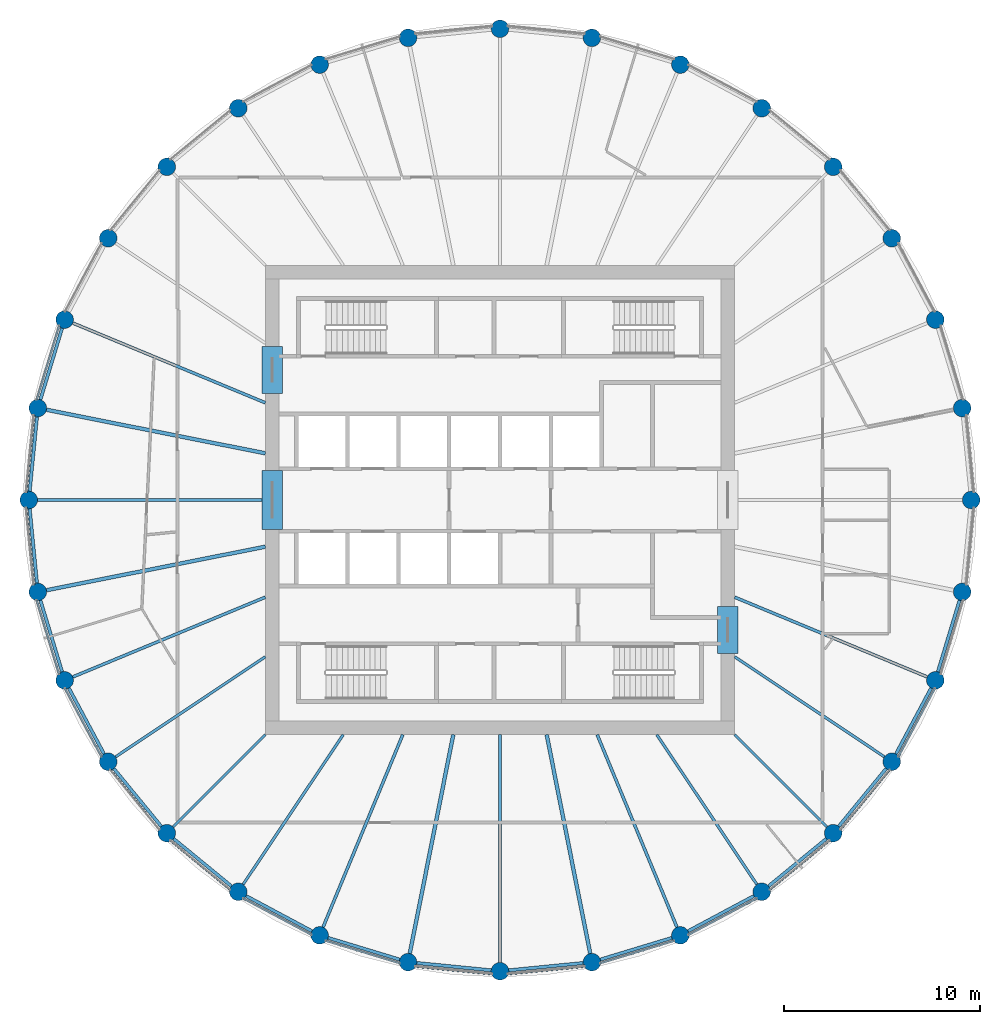
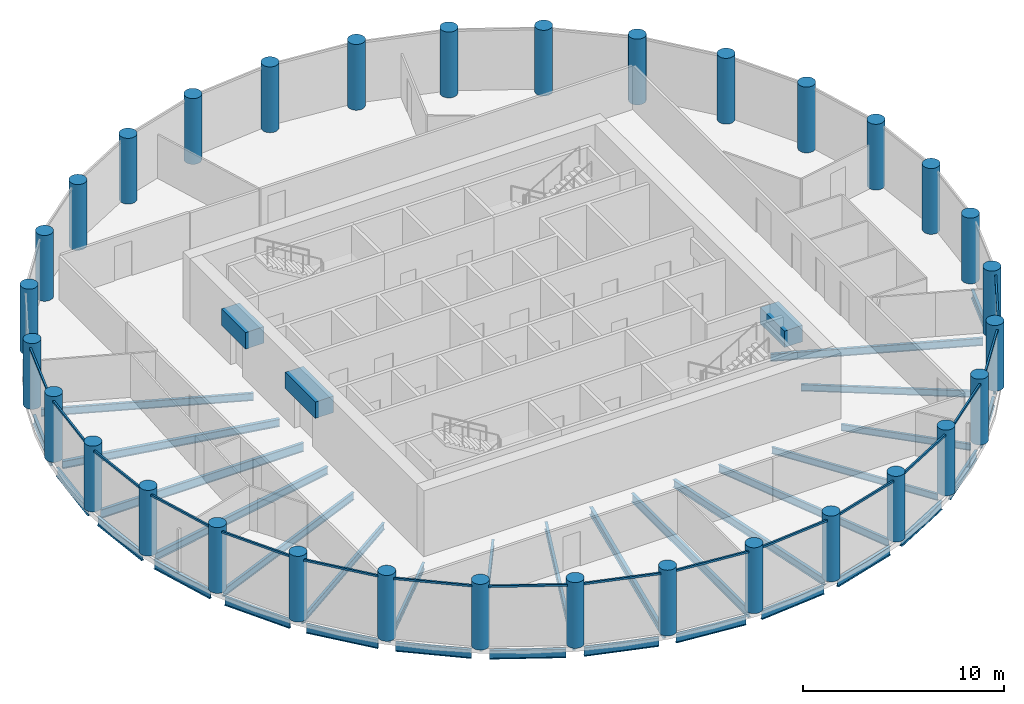
# One storey, part 1 of 7: 37 beams, 32 columns, 16 members, 16 elements without a shape of their own.
"""IFC4 building model written with IfcOpenShell, lengths in metres."""

from ifc_helpers import new_model, si_unit, direction, frame, origin, origin_2d, place, context, subcontext, project, spatial, rectangle, circle, i_section, extrude, material, material_profile, profile_set, type_object, element, aggregate, save


model = new_model("IFC4")

# Units and contexts
model_context = context("Model", 3, precision=1e-05, world=origin(), true_north=direction((0.0, 1.0)))
body_context = subcontext(model_context, "Body", "Model", "MODEL_VIEW")
ifc_project = project(units=[si_unit("LENGTHUNIT", "METRE"), si_unit("AREAUNIT", "SQUARE_METRE"), si_unit("VOLUMEUNIT", "CUBIC_METRE"), si_unit("PLANEANGLEUNIT", "RADIAN"), si_unit("MASSUNIT", "GRAM", prefix="KILO")], contexts=[model_context])

# Site, building, storey
site_placement = place(None, origin())
site = spatial("IfcSite", under=ifc_project, at=site_placement, CompositionType="ELEMENT")
building_placement = place(site_placement, origin())
building = spatial("IfcBuilding", under=site, at=building_placement, Name="Corvane Civic Tower", CompositionType="ELEMENT")
storey_placement = place(building_placement, frame((0.0, 0.0, 315.0)))
storey = spatial("IfcBuildingStorey", under=building, at=storey_placement, Name="L75", CompositionType="ELEMENT", Elevation=315.0)

# Columns
ifc_material_1 = material(Name="Concrete C60/75", Category="concrete")
ifc_material_profile_1 = material_profile(ifc_material_1, circle(Radius=0.449951171875, at=origin_2d()), Name="COLUMN 900")
ifc_profile_set_1 = profile_set([ifc_material_profile_1], Name="Concrete C60/75")
column_type = type_object("IfcColumnType", Name="RC COLUMN COLUMN 900", PredefinedType="COLUMN", material=ifc_profile_set_1)
for number, where, z_axis, x_axis, name in (
    (1, (0.0, 24.10009765625, 0.0), (0.0, 0.0, 1.0), (1.0, 0.0, 0.0), "COL-L75-E01"),
    (2, (4.70166015625, 23.636962890625, 0.0), (0.0, 0.0, 1.0), (1.0, 0.0, 0.0), "COL-L75-E02"),
    (3, (9.22265625, 22.265380859375, 0.0), (0.0, 0.0, 1.0), (1.0, 0.0, 0.0), "COL-L75-E03"),
    (4, (13.38916015625, 20.038330078125, 0.0), (0.0, 0.0, 1.0), (1.0, 0.0, 0.0), "COL-L75-E04"),
    (5, (17.041259765625, 17.041259765625, 0.0), (0.0, 0.0, 1.0), (1.0, 0.0, 0.0), "COL-L75-E05"),
    (6, (20.038330078125, 13.38916015625, 0.0), (0.0, 0.0, 1.0), (1.0, 0.0, 0.0), "COL-L75-E06"),
    (7, (22.265380859375, 9.22265625, 0.0), (0.0, 0.0, 1.0), (1.0, 0.0, 0.0), "COL-L75-E07"),
    (8, (23.636962890625, 4.70166015625, 0.0), (0.0, 0.0, 1.0), (1.0, 0.0, 0.0), "COL-L75-E08"),
    (9, (24.10009765625, 0.0, 0.0), (0.0, 0.0, 1.0), (1.0, 0.0, 0.0), "COL-L75-E09"),
    (10, (23.636962890625, -4.70166015625, 0.0), (0.0, 0.0, 1.0), (1.0, 0.0, 0.0), "COL-L75-E10"),
    (11, (22.265380859375, -9.22265625, 0.0), (0.0, 0.0, 1.0), (1.0, 0.0, 0.0), "COL-L75-E11"),
    (12, (20.038330078125, -13.38916015625, 0.0), (0.0, 0.0, 1.0), (1.0, 0.0, 0.0), "COL-L75-E12"),
    (13, (17.041259765625, -17.041259765625, 0.0), (0.0, 0.0, 1.0), (1.0, 0.0, 0.0), "COL-L75-E13"),
    (14, (13.38916015625, -20.038330078125, 0.0), (0.0, 0.0, 1.0), (1.0, 0.0, 0.0), "COL-L75-E14"),
    (15, (9.22265625, -22.265380859375, 0.0), (0.0, 0.0, 1.0), (1.0, 0.0, 0.0), "COL-L75-E15"),
    (16, (4.70166015625, -23.636962890625, 0.0), (0.0, 0.0, 1.0), (1.0, 0.0, 0.0), "COL-L75-E16"),
    (17, (0.0, -24.10009765625, 0.0), (0.0, 0.0, 1.0), (1.0, 0.0, 0.0), "COL-L75-E17"),
    (18, (-4.70166015625, -23.636962890625, 0.0), (0.0, 0.0, 1.0), (1.0, 0.0, 0.0), "COL-L75-E18"),
    (19, (-9.22265625, -22.265380859375, 0.0), (0.0, 0.0, 1.0), (1.0, 0.0, 0.0), "COL-L75-E19"),
    (20, (-13.38916015625, -20.038330078125, 0.0), (0.0, 0.0, 1.0), (1.0, 0.0, 0.0), "COL-L75-E20"),
    (21, (-17.041259765625, -17.041259765625, 0.0), (0.0, 0.0, 1.0), (1.0, 0.0, 0.0), "COL-L75-E21"),
    (22, (-20.038330078125, -13.38916015625, 0.0), (0.0, 0.0, 1.0), (1.0, 0.0, 0.0), "COL-L75-E22"),
    (23, (-22.265380859375, -9.22265625, 0.0), (0.0, 0.0, 1.0), (1.0, 0.0, 0.0), "COL-L75-E23"),
    (24, (-23.636962890625, -4.70166015625, 0.0), (0.0, 0.0, 1.0), (1.0, 0.0, 0.0), "COL-L75-E24"),
    (25, (-24.10009765625, 0.0, 0.0), (0.0, 0.0, 1.0), (1.0, 0.0, 0.0), "COL-L75-E25"),
    (26, (-23.636962890625, 4.70166015625, 0.0), (0.0, 0.0, 1.0), (1.0, 0.0, 0.0), "COL-L75-E26"),
    (27, (-22.265380859375, 9.22265625, 0.0), (0.0, 0.0, 1.0), (1.0, 0.0, 0.0), "COL-L75-E27"),
    (28, (-20.038330078125, 13.38916015625, 0.0), (0.0, 0.0, 1.0), (1.0, 0.0, 0.0), "COL-L75-E28"),
    (29, (-17.041259765625, 17.041259765625, 0.0), (0.0, 0.0, 1.0), (1.0, 0.0, 0.0), "COL-L75-E29"),
    (30, (-13.38916015625, 20.038330078125, 0.0), (0.0, 0.0, 1.0), (1.0, 0.0, 0.0), "COL-L75-E30"),
    (31, (-9.22265625, 22.265380859375, 0.0), (0.0, 0.0, 1.0), (1.0, 0.0, 0.0), "COL-L75-E31"),
    (32, (-4.70166015625, 23.636962890625, 0.0), (0.0, 0.0, 1.0), (1.0, 0.0, 0.0), "COL-L75-E32"),
):
    element("IfcColumn", number, at=place(storey_placement, frame(where, z_axis=z_axis, x_axis=x_axis)), inside=storey, type_object=column_type, Name=name, PredefinedType="COLUMN", context=body_context, shape_type="SweptSolid", body=[
        extrude(circle(Radius=0.449951171875, at=origin_2d()), origin(), (0.0, 0.0, 1.0), 4.0),
    ])

# Beams
ifc_material_2 = material(Name="Concrete C40/50", Category="concrete")
ifc_material_profile_2 = material_profile(ifc_material_2, rectangle(XDim=1.050048828125, YDim=1.0, at=origin_2d()), Name="COUPLING BEAM 1050X1000")
ifc_profile_set_2 = profile_set([ifc_material_profile_2], Name="Concrete C40/50")
beam_type_1 = type_object("IfcBeamType", Name="COUPLING BEAM COUPLING BEAM 1050X1000", PredefinedType="BEAM", material=ifc_profile_set_2)
beam_1_placement = place(storey_placement, frame((-11.64990234375, -1.5, 2.60009765625), z_axis=(0.0, 1.0, 0.0), x_axis=(-1.0, 0.0, 0.0)))
element("IfcBeam", 33, at=beam_1_placement, inside=storey, type_object=beam_type_1, Name="BM-L75-cpl-CW-LW", PredefinedType="BEAM", context=body_context, shape_type="SweptSolid", body=[
    extrude(rectangle(XDim=1.050048828125, YDim=1.0, at=origin_2d()), origin(), (0.0, 0.0, 1.0), 3.0),
])
for number, where, z_axis, x_axis, name in (
    (34, (-11.64990234375, 5.449951171875, 2.60009765625), (0.0, 1.0, 0.0), (-1.0, 0.0, 0.0), "BM-L75-cpl-CW-WN"),
    (35, (11.64990234375, -7.85009765625, 2.60009765625), (0.0, 1.0, 0.0), (-1.0, 0.0, 0.0), "BM-L75-cpl-CW-ES"),
):
    element("IfcBeam", number, at=place(storey_placement, frame(where, z_axis=z_axis, x_axis=x_axis)), inside=storey, type_object=beam_type_1, Name=name, PredefinedType="BEAM", context=body_context, shape_type="SweptSolid", body=[
        extrude(rectangle(XDim=1.050048828125, YDim=1.0, at=origin_2d()), origin(), (0.0, 0.0, 1.0), 2.400146484375),
    ])
ifc_material_3 = material(Name="Steel ASTM A992 Gr 50", Category="steel")
ifc_material_profile_3 = material_profile(ifc_material_3, i_section(OverallWidth=0.165771484375, OverallDepth=0.5283203125, WebThickness=0.009765625, FlangeThickness=0.013671875, at=origin_2d()), Name="W21X50")
ifc_profile_set_3 = profile_set([ifc_material_profile_3], Name="Steel ASTM A992 Gr 50")
beam_type_2 = type_object("IfcBeamType", Name="EDGE BEAM W21X50", PredefinedType="BEAM", material=ifc_profile_set_3)
beam_2_placement = place(storey_placement, frame((23.50634765625, -5.13232421875, -0.564208984375), z_axis=(-0.290333385085, -0.95692555902, 0.0), x_axis=(0.95692555902, -0.290333385085, 0.0)))
element("IfcBeam", 36, at=beam_2_placement, inside=storey, type_object=beam_type_2, Name="BM-L75-E10", PredefinedType="BEAM", context=body_context, shape_type="SweptSolid", body=[
    extrude(i_section(OverallWidth=0.165771484375, OverallDepth=0.5283203125, WebThickness=0.009765625, FlangeThickness=0.013671875, at=origin_2d()), origin(), (0.0, 0.0, 1.0), 3.824462890625),
])
beam_3_placement = place(storey_placement, frame((22.05322265625, -9.61962890625, -0.564208984375), z_axis=(-0.471409804487, -0.881914279413, 0.0), x_axis=(0.881914279413, -0.471409804487, 0.0)))
element("IfcBeam", 37, at=beam_3_placement, inside=storey, type_object=beam_type_2, Name="BM-L75-E11", PredefinedType="BEAM", context=body_context, shape_type="SweptSolid", body=[
    extrude(i_section(OverallWidth=0.165771484375, OverallDepth=0.5283203125, WebThickness=0.009765625, FlangeThickness=0.013671875, at=origin_2d()), origin(), (0.0, 0.0, 1.0), 3.82421875),
])
for number, where, z_axis, x_axis, name in (
    (38, (19.7529296875, -13.737060546875, -0.564208984375), (-0.634408562057, -0.772997914867, 0.0), (0.772997914867, -0.634408562057, 0.0), "BM-L75-E12"),
    (39, (16.693359375, -17.32666015625, -0.564208984375), (-0.772997914867, -0.634408562057, 0.0), (0.634408562057, -0.772997914867, 0.0), "BM-L75-E13"),
):
    element("IfcBeam", number, at=place(storey_placement, frame(where, z_axis=z_axis, x_axis=x_axis)), inside=storey, type_object=beam_type_2, Name=name, PredefinedType="BEAM", context=body_context, shape_type="SweptSolid", body=[
        extrude(i_section(OverallWidth=0.165771484375, OverallDepth=0.5283203125, WebThickness=0.009765625, FlangeThickness=0.013671875, at=origin_2d()), origin(), (0.0, 0.0, 1.0), 3.824462890625),
    ])
beam_4_placement = place(storey_placement, frame((12.9921875, -20.25048828125, -0.564208984375), z_axis=(-0.881914279413, -0.471409804487, 0.0), x_axis=(0.471409804487, -0.881914279413, 0.0)))
element("IfcBeam", 40, at=beam_4_placement, inside=storey, type_object=beam_type_2, Name="BM-L75-E14", PredefinedType="BEAM", context=body_context, shape_type="SweptSolid", body=[
    extrude(i_section(OverallWidth=0.165771484375, OverallDepth=0.5283203125, WebThickness=0.009765625, FlangeThickness=0.013671875, at=origin_2d()), origin(), (0.0, 0.0, 1.0), 3.82421875),
])
for number, where, z_axis, x_axis, name in (
    (41, (8.7919921875, -22.39599609375, -0.564208984375), (-0.95692555902, -0.290333385085, 0.0), (0.290333385085, -0.95692555902, 0.0), "BM-L75-E15"),
    (42, (4.25390625, -23.68115234375, -0.564208984375), (-0.995187721162, -0.097986732007, 0.0), (0.097986732007, -0.995187721162, 0.0), "BM-L75-E16"),
    (43, (-0.44775390625, -24.055908203125, -0.564208984375), (-0.995187721162, 0.097986732007, 0.0), (-0.097986732007, -0.995187721162, 0.0), "BM-L75-E17"),
    (44, (-5.13232421875, -23.50634765625, -0.564208984375), (-0.95692555902, 0.290333385085, 0.0), (-0.290333385085, -0.95692555902, 0.0), "BM-L75-E18"),
):
    element("IfcBeam", number, at=place(storey_placement, frame(where, z_axis=z_axis, x_axis=x_axis)), inside=storey, type_object=beam_type_2, Name=name, PredefinedType="BEAM", context=body_context, shape_type="SweptSolid", body=[
        extrude(i_section(OverallWidth=0.165771484375, OverallDepth=0.5283203125, WebThickness=0.009765625, FlangeThickness=0.013671875, at=origin_2d()), origin(), (0.0, 0.0, 1.0), 3.824462890625),
    ])
beam_5_placement = place(storey_placement, frame((-9.61962890625, -22.05322265625, -0.564208984375), z_axis=(-0.881914279413, 0.471409804487, 0.0), x_axis=(-0.471409804487, -0.881914279413, 0.0)))
element("IfcBeam", 45, at=beam_5_placement, inside=storey, type_object=beam_type_2, Name="BM-L75-E19", PredefinedType="BEAM", context=body_context, shape_type="SweptSolid", body=[
    extrude(i_section(OverallWidth=0.165771484375, OverallDepth=0.5283203125, WebThickness=0.009765625, FlangeThickness=0.013671875, at=origin_2d()), origin(), (0.0, 0.0, 1.0), 3.82421875),
])
for number, where, z_axis, x_axis, name in (
    (46, (-13.737060546875, -19.7529296875, -0.564208984375), (-0.772997914867, 0.634408562057, 0.0), (-0.634408562057, -0.772997914867, 0.0), "BM-L75-E20"),
    (47, (-17.32666015625, -16.693359375, -0.564208984375), (-0.634408562057, 0.772997914867, 0.0), (-0.772997914867, -0.634408562057, 0.0), "BM-L75-E21"),
):
    element("IfcBeam", number, at=place(storey_placement, frame(where, z_axis=z_axis, x_axis=x_axis)), inside=storey, type_object=beam_type_2, Name=name, PredefinedType="BEAM", context=body_context, shape_type="SweptSolid", body=[
        extrude(i_section(OverallWidth=0.165771484375, OverallDepth=0.5283203125, WebThickness=0.009765625, FlangeThickness=0.013671875, at=origin_2d()), origin(), (0.0, 0.0, 1.0), 3.824462890625),
    ])
beam_6_placement = place(storey_placement, frame((-20.25048828125, -12.9921875, -0.564208984375), z_axis=(-0.471409804487, 0.881914279413, 0.0), x_axis=(-0.881914279413, -0.471409804487, 0.0)))
element("IfcBeam", 48, at=beam_6_placement, inside=storey, type_object=beam_type_2, Name="BM-L75-E22", PredefinedType="BEAM", context=body_context, shape_type="SweptSolid", body=[
    extrude(i_section(OverallWidth=0.165771484375, OverallDepth=0.5283203125, WebThickness=0.009765625, FlangeThickness=0.013671875, at=origin_2d()), origin(), (0.0, 0.0, 1.0), 3.82421875),
])
for number, where, z_axis, x_axis, name in (
    (49, (-22.39599609375, -8.7919921875, -0.564208984375), (-0.290333385085, 0.95692555902, 0.0), (-0.95692555902, -0.290333385085, 0.0), "BM-L75-E23"),
    (50, (-23.68115234375, -4.25390625, -0.564208984375), (-0.097986732007, 0.995187721162, 0.0), (-0.995187721162, -0.097986732007, 0.0), "BM-L75-E24"),
    (51, (-24.055908203125, 0.44775390625, -0.564208984375), (0.097986732007, 0.995187721162, 0.0), (-0.995187721162, 0.097986732007, 0.0), "BM-L75-E25"),
    (52, (-23.50634765625, 5.13232421875, -0.564208984375), (0.290333385085, 0.95692555902, 0.0), (-0.95692555902, 0.290333385085, 0.0), "BM-L75-E26"),
):
    element("IfcBeam", number, at=place(storey_placement, frame(where, z_axis=z_axis, x_axis=x_axis)), inside=storey, type_object=beam_type_2, Name=name, PredefinedType="BEAM", context=body_context, shape_type="SweptSolid", body=[
        extrude(i_section(OverallWidth=0.165771484375, OverallDepth=0.5283203125, WebThickness=0.009765625, FlangeThickness=0.013671875, at=origin_2d()), origin(), (0.0, 0.0, 1.0), 3.824462890625),
    ])
ifc_material_4 = material(Name="Steel ASTM A992 Gr 50", Category="steel")
ifc_material_profile_4 = material_profile(ifc_material_4, i_section(OverallWidth=0.140380859375, OverallDepth=0.40380859375, WebThickness=0.007080078125, FlangeThickness=0.01123046875, at=origin_2d()), Name="W16X31")
ifc_profile_set_4 = profile_set([ifc_material_profile_4], Name="Steel ASTM A992 Gr 50")
beam_type_3 = type_object("IfcBeamType", Name="FLOOR GIRDER W16X31", PredefinedType="BEAM", material=ifc_profile_set_4)
beam_7_placement = place(storey_placement, frame((12.0, -8.01806640625, -0.501953125), z_axis=(0.831471227061, -0.555567816355, 0.0), x_axis=(0.555567816355, 0.831471227061, 0.0)))
element("IfcBeam", 53, at=beam_7_placement, inside=storey, type_object=beam_type_3, Name="BM-L75-G12", PredefinedType="BEAM", context=body_context, shape_type="SweptSolid", body=[
    extrude(i_section(OverallWidth=0.140380859375, OverallDepth=0.40380859375, WebThickness=0.007080078125, FlangeThickness=0.01123046875, at=origin_2d()), origin(), (0.0, 0.0, 1.0), 9.2177734375),
])
beam_8_placement = place(storey_placement, frame((12.0, -12.0, -0.501953125), z_axis=(0.707106781187, -0.707106781187, 0.0), x_axis=(0.707106781187, 0.707106781187, 0.0)))
element("IfcBeam", 54, at=beam_8_placement, inside=storey, type_object=beam_type_3, Name="BM-L75-G13", PredefinedType="BEAM", context=body_context, shape_type="SweptSolid", body=[
    extrude(i_section(OverallWidth=0.140380859375, OverallDepth=0.40380859375, WebThickness=0.007080078125, FlangeThickness=0.01123046875, at=origin_2d()), origin(), (0.0, 0.0, 1.0), 6.679443359375),
])
for number, where, z_axis, x_axis, name in (
    (55, (8.01806640625, -12.0, -0.501953125), (0.555567816355, -0.831471227061, 0.0), (0.831471227061, 0.555567816355, 0.0), "BM-L75-G14"),
    (56, (-8.01806640625, -12.0, -0.501953125), (-0.555567816355, -0.831471227061, 0.0), (0.831471227061, -0.555567816355, 0.0), "BM-L75-G20"),
):
    element("IfcBeam", number, at=place(storey_placement, frame(where, z_axis=z_axis, x_axis=x_axis)), inside=storey, type_object=beam_type_3, Name=name, PredefinedType="BEAM", context=body_context, shape_type="SweptSolid", body=[
        extrude(i_section(OverallWidth=0.140380859375, OverallDepth=0.40380859375, WebThickness=0.007080078125, FlangeThickness=0.01123046875, at=origin_2d()), origin(), (0.0, 0.0, 1.0), 9.2177734375),
    ])
beam_9_placement = place(storey_placement, frame((-12.0, -12.0, -0.501953125), z_axis=(-0.707106781187, -0.707106781187, 0.0), x_axis=(0.707106781187, -0.707106781187, 0.0)))
element("IfcBeam", 57, at=beam_9_placement, inside=storey, type_object=beam_type_3, Name="BM-L75-G21", PredefinedType="BEAM", context=body_context, shape_type="SweptSolid", body=[
    extrude(i_section(OverallWidth=0.140380859375, OverallDepth=0.40380859375, WebThickness=0.007080078125, FlangeThickness=0.01123046875, at=origin_2d()), origin(), (0.0, 0.0, 1.0), 6.679443359375),
])
beam_10_placement = place(storey_placement, frame((-12.0, -8.01806640625, -0.501953125), z_axis=(-0.831471227061, -0.555567816355, 0.0), x_axis=(0.555567816355, -0.831471227061, 0.0)))
element("IfcBeam", 58, at=beam_10_placement, inside=storey, type_object=beam_type_3, Name="BM-L75-G22", PredefinedType="BEAM", context=body_context, shape_type="SweptSolid", body=[
    extrude(i_section(OverallWidth=0.140380859375, OverallDepth=0.40380859375, WebThickness=0.007080078125, FlangeThickness=0.01123046875, at=origin_2d()), origin(), (0.0, 0.0, 1.0), 9.2177734375),
])
ifc_material_5 = material(Name="Steel ASTM A992 Gr 50", Category="steel")
ifc_material_profile_5 = material_profile(ifc_material_5, i_section(OverallWidth=0.15283203125, OverallDepth=0.45458984375, WebThickness=0.008056640625, FlangeThickness=0.013427734375, at=origin_2d()), Name="W18X40")
ifc_profile_set_5 = profile_set([ifc_material_profile_5], Name="Steel ASTM A992 Gr 50")
beam_type_4 = type_object("IfcBeamType", Name="FLOOR GIRDER W18X40", PredefinedType="BEAM", material=ifc_profile_set_5)
for number, where, z_axis, x_axis, name in (
    (59, (12.0, -4.970458984375, -0.52734375), (0.923875048589, -0.382694257331, 0.0), (0.382694257331, 0.923875048589, 0.0), "BM-L75-G11"),
    (60, (4.970458984375, -12.0, -0.52734375), (0.382694257331, -0.923875048589, 0.0), (0.923875048589, 0.382694257331, 0.0), "BM-L75-G15"),
    (61, (-4.970458984375, -12.0, -0.52734375), (-0.382694257331, -0.923875048589, 0.0), (0.923875048589, -0.382694257331, 0.0), "BM-L75-G19"),
    (62, (-12.0, -4.970458984375, -0.52734375), (-0.923875048589, -0.382694257331, 0.0), (0.382694257331, -0.923875048589, 0.0), "BM-L75-G23"),
    (63, (-12.0, 4.970458984375, -0.52734375), (-0.923875048589, 0.382694257331, 0.0), (-0.382694257331, -0.923875048589, 0.0), "BM-L75-G27"),
):
    element("IfcBeam", number, at=place(storey_placement, frame(where, z_axis=z_axis, x_axis=x_axis)), inside=storey, type_object=beam_type_4, Name=name, PredefinedType="BEAM", context=body_context, shape_type="SweptSolid", body=[
        extrude(i_section(OverallWidth=0.15283203125, OverallDepth=0.45458984375, WebThickness=0.008056640625, FlangeThickness=0.013427734375, at=origin_2d()), origin(), (0.0, 0.0, 1.0), 10.661376953125),
    ])
ifc_material_6 = material(Name="Steel ASTM A992 Gr 50", Category="steel")
ifc_material_profile_6 = material_profile(ifc_material_6, i_section(OverallWidth=0.1904296875, OverallDepth=0.457275390625, WebThickness=0.009033203125, FlangeThickness=0.014404296875, at=origin_2d()), Name="W18X50")
ifc_profile_set_6 = profile_set([ifc_material_profile_6], Name="Steel ASTM A992 Gr 50")
beam_type_5 = type_object("IfcBeamType", Name="FLOOR GIRDER W18X50", PredefinedType="BEAM", material=ifc_profile_set_6)
for number, where, z_axis, x_axis, name in (
    (64, (2.386962890625, -12.0, -0.528564453125), (0.195079532402, -0.980787426529, 0.0), (0.980787426529, 0.195079532402, 0.0), "BM-L75-G16"),
    (65, (-2.386962890625, -12.0, -0.528564453125), (-0.195079532402, -0.980787426529, 0.0), (0.980787426529, -0.195079532402, 0.0), "BM-L75-G18"),
    (66, (-12.0, -2.386962890625, -0.528564453125), (-0.980787426529, -0.195079532402, 0.0), (0.195079532402, -0.980787426529, 0.0), "BM-L75-G24"),
    (67, (-12.0, 2.386962890625, -0.528564453125), (-0.980787426529, 0.195079532402, 0.0), (-0.195079532402, -0.980787426529, 0.0), "BM-L75-G26"),
):
    element("IfcBeam", number, at=place(storey_placement, frame(where, z_axis=z_axis, x_axis=x_axis)), inside=storey, type_object=beam_type_5, Name=name, PredefinedType="BEAM", context=body_context, shape_type="SweptSolid", body=[
        extrude(i_section(OverallWidth=0.1904296875, OverallDepth=0.457275390625, WebThickness=0.009033203125, FlangeThickness=0.014404296875, at=origin_2d()), origin(), (0.0, 0.0, 1.0), 11.414794921875),
    ])
ifc_material_7 = material(Name="Steel ASTM A992 Gr 50", Category="steel")
ifc_material_profile_7 = material_profile(ifc_material_7, i_section(OverallWidth=0.165771484375, OverallDepth=0.5283203125, WebThickness=0.009765625, FlangeThickness=0.013671875, at=origin_2d()), Name="W21X50")
ifc_profile_set_7 = profile_set([ifc_material_profile_7], Name="Steel ASTM A992 Gr 50")
beam_type_6 = type_object("IfcBeamType", Name="FLOOR GIRDER W21X50", PredefinedType="BEAM", material=ifc_profile_set_7)
for number, where, z_axis, x_axis, name in (
    (68, (0.0, -12.0, -0.564208984375), (0.0, -1.0, 0.0), (1.0, 0.0, 0.0), "BM-L75-G17"),
    (69, (-12.0, 0.0, -0.564208984375), (-1.0, 0.0, 0.0), (0.0, -1.0, 0.0), "BM-L75-G25"),
):
    element("IfcBeam", number, at=place(storey_placement, frame(where, z_axis=z_axis, x_axis=x_axis)), inside=storey, type_object=beam_type_6, Name=name, PredefinedType="BEAM", context=body_context, shape_type="SweptSolid", body=[
        extrude(i_section(OverallWidth=0.165771484375, OverallDepth=0.5283203125, WebThickness=0.009765625, FlangeThickness=0.013671875, at=origin_2d()), origin(), (0.0, 0.0, 1.0), 11.64990234375),
    ])

# Curtain wall, member
ifc_material_8 = material(Name="Anodised aluminium bronze", Category="aluminium")
curtain_wall_type = type_object("IfcCurtainWallType", Name="TOWER CW-T3 STICK CURTAIN WALL", PredefinedType="NOTDEFINED", material=ifc_material_8)
curtain_wall_1_placement = place(storey_placement, origin())
curtain_wall_1 = element("IfcCurtainWall", 70, at=curtain_wall_1_placement, inside=storey, type_object=curtain_wall_type, Name="Curtain wall CW-T3 L75 bay 11", PredefinedType="NOTDEFINED")
ifc_material_9 = material(Name="Anodised aluminium bronze", Category="aluminium")
ifc_material_profile_8 = material_profile(ifc_material_9, rectangle(XDim=0.10009765625, YDim=0.1201171875, at=origin_2d()), Name="TOWER CW-T3 TRANSOM 100x120")
ifc_profile_set_8 = profile_set([ifc_material_profile_8], Name="Anodised aluminium bronze")
member_type = type_object("IfcMemberType", Name="TOWER CW-T3 TRANSOM 100x120", PredefinedType="USERDEFINED", material=ifc_profile_set_8)
member_1_placement = place(storey_placement, frame((22.2431640625, -9.644775390625, 3.68994140625), z_axis=(-0.471468241052, -0.881883040816, 0.0), x_axis=(0.881883040816, -0.471468241052, 0.0)))
member_1 = element("IfcMember", 71, at=member_1_placement, type_object=member_type, Name="Transom CW-T3 L75 11.1", ObjectType="TRANSOM", PredefinedType="USERDEFINED", context=body_context, shape_type="SweptSolid", body=[
    extrude(rectangle(XDim=0.10009765625, YDim=0.1201171875, at=origin_2d()), origin(), (0.0, 0.0, 1.0), 3.958740234375),
])
aggregate(curtain_wall_1, [member_1])

curtain_wall_2_placement = place(storey_placement, origin())
curtain_wall_2 = element("IfcCurtainWall", 72, at=curtain_wall_2_placement, inside=storey, type_object=curtain_wall_type, Name="Curtain wall CW-T3 L75 bay 12", PredefinedType="NOTDEFINED")
member_2_placement = place(storey_placement, frame((19.93408203125, -13.798828125, 3.68994140625), z_axis=(-0.634415838373, -0.772991943051, 0.0), x_axis=(0.772991943051, -0.634415838373, 0.0)))
member_2 = element("IfcMember", 73, at=member_2_placement, type_object=member_type, Name="Transom CW-T3 L75 12.1", ObjectType="TRANSOM", PredefinedType="USERDEFINED", context=body_context, shape_type="SweptSolid", body=[
    extrude(rectangle(XDim=0.10009765625, YDim=0.1201171875, at=origin_2d()), origin(), (0.0, 0.0, 1.0), 3.958740234375),
])
aggregate(curtain_wall_2, [member_2])

curtain_wall_3_placement = place(storey_placement, origin())
curtain_wall_3 = element("IfcCurtainWall", 74, at=curtain_wall_3_placement, inside=storey, type_object=curtain_wall_type, Name="Curtain wall CW-T3 L75 bay 13", PredefinedType="NOTDEFINED")
member_3_placement = place(storey_placement, frame((16.85888671875, -17.422607421875, 3.68994140625), z_axis=(-0.772991943051, -0.634415838373, 0.0), x_axis=(0.634415838373, -0.772991943051, 0.0)))
member_3 = element("IfcMember", 75, at=member_3_placement, type_object=member_type, Name="Transom CW-T3 L75 13.1", ObjectType="TRANSOM", PredefinedType="USERDEFINED", context=body_context, shape_type="SweptSolid", body=[
    extrude(rectangle(XDim=0.10009765625, YDim=0.1201171875, at=origin_2d()), origin(), (0.0, 0.0, 1.0), 3.958740234375),
])
aggregate(curtain_wall_3, [member_3])

curtain_wall_4_placement = place(storey_placement, origin())
curtain_wall_4 = element("IfcCurtainWall", 76, at=curtain_wall_4_placement, inside=storey, type_object=curtain_wall_type, Name="Curtain wall CW-T3 L75 bay 14", PredefinedType="NOTDEFINED")
member_4_placement = place(storey_placement, frame((13.135986328125, -20.376708984375, 3.68994140625), z_axis=(-0.881883040816, -0.471468241052, 0.0), x_axis=(0.471468241052, -0.881883040816, 0.0)))
member_4 = element("IfcMember", 77, at=member_4_placement, type_object=member_type, Name="Transom CW-T3 L75 14.1", ObjectType="TRANSOM", PredefinedType="USERDEFINED", context=body_context, shape_type="SweptSolid", body=[
    extrude(rectangle(XDim=0.10009765625, YDim=0.1201171875, at=origin_2d()), origin(), (0.0, 0.0, 1.0), 3.958740234375),
])
aggregate(curtain_wall_4, [member_4])

curtain_wall_5_placement = place(storey_placement, origin())
curtain_wall_5 = element("IfcCurtainWall", 78, at=curtain_wall_5_placement, inside=storey, type_object=curtain_wall_type, Name="Curtain wall CW-T3 L75 bay 15", PredefinedType="NOTDEFINED")
member_5_placement = place(storey_placement, frame((8.908447265625, -22.548095703125, 3.68994140625), z_axis=(-0.956946054205, -0.290265825309, 0.0), x_axis=(0.290265825309, -0.956946054205, 0.0)))
member_5 = element("IfcMember", 79, at=member_5_placement, type_object=member_type, Name="Transom CW-T3 L75 15.1", ObjectType="TRANSOM", PredefinedType="USERDEFINED", context=body_context, shape_type="SweptSolid", body=[
    extrude(rectangle(XDim=0.10009765625, YDim=0.1201171875, at=origin_2d()), origin(), (0.0, 0.0, 1.0), 3.958984375),
])
aggregate(curtain_wall_5, [member_5])

curtain_wall_6_placement = place(storey_placement, origin())
curtain_wall_6 = element("IfcCurtainWall", 80, at=curtain_wall_6_placement, inside=storey, type_object=curtain_wall_type, Name="Curtain wall CW-T3 L75 bay 16", PredefinedType="NOTDEFINED")
member_6_placement = place(storey_placement, frame((4.338134765625, -23.852783203125, 3.68994140625), z_axis=(-0.995186866683, -0.097995409999, 0.0), x_axis=(0.097995409999, -0.995186866683, 0.0)))
member_6 = element("IfcMember", 81, at=member_6_placement, type_object=member_type, Name="Transom CW-T3 L75 16.1", ObjectType="TRANSOM", PredefinedType="USERDEFINED", context=body_context, shape_type="SweptSolid", body=[
    extrude(rectangle(XDim=0.10009765625, YDim=0.1201171875, at=origin_2d()), origin(), (0.0, 0.0, 1.0), 3.958740234375),
])
aggregate(curtain_wall_6, [member_6])

curtain_wall_7_placement = place(storey_placement, origin())
curtain_wall_7 = element("IfcCurtainWall", 82, at=curtain_wall_7_placement, inside=storey, type_object=curtain_wall_type, Name="Curtain wall CW-T3 L75 bay 17", PredefinedType="NOTDEFINED")
member_7_placement = place(storey_placement, frame((-0.3984375, -24.24072265625, 3.68994140625), z_axis=(-0.995186866683, 0.097995409999, 0.0), x_axis=(-0.097995409999, -0.995186866683, 0.0)))
member_7 = element("IfcMember", 83, at=member_7_placement, type_object=member_type, Name="Transom CW-T3 L75 17.1", ObjectType="TRANSOM", PredefinedType="USERDEFINED", context=body_context, shape_type="SweptSolid", body=[
    extrude(rectangle(XDim=0.10009765625, YDim=0.1201171875, at=origin_2d()), origin(), (0.0, 0.0, 1.0), 3.958740234375),
])
aggregate(curtain_wall_7, [member_7])

curtain_wall_8_placement = place(storey_placement, origin())
curtain_wall_8 = element("IfcCurtainWall", 84, at=curtain_wall_8_placement, inside=storey, type_object=curtain_wall_type, Name="Curtain wall CW-T3 L75 bay 18", PredefinedType="NOTDEFINED")
member_8_placement = place(storey_placement, frame((-5.119873046875, -23.697265625, 3.68994140625), z_axis=(-0.956946054205, 0.290265825309, 0.0), x_axis=(-0.290265825309, -0.956946054205, 0.0)))
member_8 = element("IfcMember", 85, at=member_8_placement, type_object=member_type, Name="Transom CW-T3 L75 18.1", ObjectType="TRANSOM", PredefinedType="USERDEFINED", context=body_context, shape_type="SweptSolid", body=[
    extrude(rectangle(XDim=0.10009765625, YDim=0.1201171875, at=origin_2d()), origin(), (0.0, 0.0, 1.0), 3.958984375),
])
aggregate(curtain_wall_8, [member_8])

curtain_wall_9_placement = place(storey_placement, origin())
curtain_wall_9 = element("IfcCurtainWall", 86, at=curtain_wall_9_placement, inside=storey, type_object=curtain_wall_type, Name="Curtain wall CW-T3 L75 bay 19", PredefinedType="NOTDEFINED")
member_9_placement = place(storey_placement, frame((-9.644775390625, -22.2431640625, 3.68994140625), z_axis=(-0.881883040816, 0.471468241052, 0.0), x_axis=(-0.471468241052, -0.881883040816, 0.0)))
member_9 = element("IfcMember", 87, at=member_9_placement, type_object=member_type, Name="Transom CW-T3 L75 19.1", ObjectType="TRANSOM", PredefinedType="USERDEFINED", context=body_context, shape_type="SweptSolid", body=[
    extrude(rectangle(XDim=0.10009765625, YDim=0.1201171875, at=origin_2d()), origin(), (0.0, 0.0, 1.0), 3.958740234375),
])
aggregate(curtain_wall_9, [member_9])

curtain_wall_10_placement = place(storey_placement, origin())
curtain_wall_10 = element("IfcCurtainWall", 88, at=curtain_wall_10_placement, inside=storey, type_object=curtain_wall_type, Name="Curtain wall CW-T3 L75 bay 20", PredefinedType="NOTDEFINED")
member_10_placement = place(storey_placement, frame((-13.798828125, -19.93408203125, 3.68994140625), z_axis=(-0.772991943051, 0.634415838373, 0.0), x_axis=(-0.634415838373, -0.772991943051, 0.0)))
member_10 = element("IfcMember", 89, at=member_10_placement, type_object=member_type, Name="Transom CW-T3 L75 20.1", ObjectType="TRANSOM", PredefinedType="USERDEFINED", context=body_context, shape_type="SweptSolid", body=[
    extrude(rectangle(XDim=0.10009765625, YDim=0.1201171875, at=origin_2d()), origin(), (0.0, 0.0, 1.0), 3.958740234375),
])
aggregate(curtain_wall_10, [member_10])

curtain_wall_11_placement = place(storey_placement, origin())
curtain_wall_11 = element("IfcCurtainWall", 90, at=curtain_wall_11_placement, inside=storey, type_object=curtain_wall_type, Name="Curtain wall CW-T3 L75 bay 21", PredefinedType="NOTDEFINED")
member_11_placement = place(storey_placement, frame((-17.422607421875, -16.85888671875, 3.68994140625), z_axis=(-0.634415838373, 0.772991943051, 0.0), x_axis=(-0.772991943051, -0.634415838373, 0.0)))
member_11 = element("IfcMember", 91, at=member_11_placement, type_object=member_type, Name="Transom CW-T3 L75 21.1", ObjectType="TRANSOM", PredefinedType="USERDEFINED", context=body_context, shape_type="SweptSolid", body=[
    extrude(rectangle(XDim=0.10009765625, YDim=0.1201171875, at=origin_2d()), origin(), (0.0, 0.0, 1.0), 3.958740234375),
])
aggregate(curtain_wall_11, [member_11])

curtain_wall_12_placement = place(storey_placement, origin())
curtain_wall_12 = element("IfcCurtainWall", 92, at=curtain_wall_12_placement, inside=storey, type_object=curtain_wall_type, Name="Curtain wall CW-T3 L75 bay 22", PredefinedType="NOTDEFINED")
member_12_placement = place(storey_placement, frame((-20.376708984375, -13.135986328125, 3.68994140625), z_axis=(-0.471468241052, 0.881883040816, 0.0), x_axis=(-0.881883040816, -0.471468241052, 0.0)))
member_12 = element("IfcMember", 93, at=member_12_placement, type_object=member_type, Name="Transom CW-T3 L75 22.1", ObjectType="TRANSOM", PredefinedType="USERDEFINED", context=body_context, shape_type="SweptSolid", body=[
    extrude(rectangle(XDim=0.10009765625, YDim=0.1201171875, at=origin_2d()), origin(), (0.0, 0.0, 1.0), 3.958740234375),
])
aggregate(curtain_wall_12, [member_12])

curtain_wall_13_placement = place(storey_placement, origin())
curtain_wall_13 = element("IfcCurtainWall", 94, at=curtain_wall_13_placement, inside=storey, type_object=curtain_wall_type, Name="Curtain wall CW-T3 L75 bay 23", PredefinedType="NOTDEFINED")
member_13_placement = place(storey_placement, frame((-22.548095703125, -8.908447265625, 3.68994140625), z_axis=(-0.290265825309, 0.956946054205, 0.0), x_axis=(-0.956946054205, -0.290265825309, 0.0)))
member_13 = element("IfcMember", 95, at=member_13_placement, type_object=member_type, Name="Transom CW-T3 L75 23.1", ObjectType="TRANSOM", PredefinedType="USERDEFINED", context=body_context, shape_type="SweptSolid", body=[
    extrude(rectangle(XDim=0.10009765625, YDim=0.1201171875, at=origin_2d()), origin(), (0.0, 0.0, 1.0), 3.958984375),
])
aggregate(curtain_wall_13, [member_13])

curtain_wall_14_placement = place(storey_placement, origin())
curtain_wall_14 = element("IfcCurtainWall", 96, at=curtain_wall_14_placement, inside=storey, type_object=curtain_wall_type, Name="Curtain wall CW-T3 L75 bay 24", PredefinedType="NOTDEFINED")
member_14_placement = place(storey_placement, frame((-23.852783203125, -4.338134765625, 3.68994140625), z_axis=(-0.097995409999, 0.995186866683, 0.0), x_axis=(-0.995186866683, -0.097995409999, 0.0)))
member_14 = element("IfcMember", 97, at=member_14_placement, type_object=member_type, Name="Transom CW-T3 L75 24.1", ObjectType="TRANSOM", PredefinedType="USERDEFINED", context=body_context, shape_type="SweptSolid", body=[
    extrude(rectangle(XDim=0.10009765625, YDim=0.1201171875, at=origin_2d()), origin(), (0.0, 0.0, 1.0), 3.958740234375),
])
aggregate(curtain_wall_14, [member_14])

curtain_wall_15_placement = place(storey_placement, origin())
curtain_wall_15 = element("IfcCurtainWall", 98, at=curtain_wall_15_placement, inside=storey, type_object=curtain_wall_type, Name="Curtain wall CW-T3 L75 bay 25", PredefinedType="NOTDEFINED")
member_15_placement = place(storey_placement, frame((-24.24072265625, 0.3984375, 3.68994140625), z_axis=(0.097995409999, 0.995186866683, 0.0), x_axis=(-0.995186866683, 0.097995409999, 0.0)))
member_15 = element("IfcMember", 99, at=member_15_placement, type_object=member_type, Name="Transom CW-T3 L75 25.1", ObjectType="TRANSOM", PredefinedType="USERDEFINED", context=body_context, shape_type="SweptSolid", body=[
    extrude(rectangle(XDim=0.10009765625, YDim=0.1201171875, at=origin_2d()), origin(), (0.0, 0.0, 1.0), 3.958740234375),
])
aggregate(curtain_wall_15, [member_15])

curtain_wall_16_placement = place(storey_placement, origin())
curtain_wall_16 = element("IfcCurtainWall", 100, at=curtain_wall_16_placement, inside=storey, type_object=curtain_wall_type, Name="Curtain wall CW-T3 L75 bay 26", PredefinedType="NOTDEFINED")
member_16_placement = place(storey_placement, frame((-23.697265625, 5.119873046875, 3.68994140625), z_axis=(0.290265825309, 0.956946054205, 0.0), x_axis=(-0.956946054205, 0.290265825309, 0.0)))
member_16 = element("IfcMember", 101, at=member_16_placement, type_object=member_type, Name="Transom CW-T3 L75 26.1", ObjectType="TRANSOM", PredefinedType="USERDEFINED", context=body_context, shape_type="SweptSolid", body=[
    extrude(rectangle(XDim=0.10009765625, YDim=0.1201171875, at=origin_2d()), origin(), (0.0, 0.0, 1.0), 3.958984375),
])
aggregate(curtain_wall_16, [member_16])

save(model, "model.ifc")
